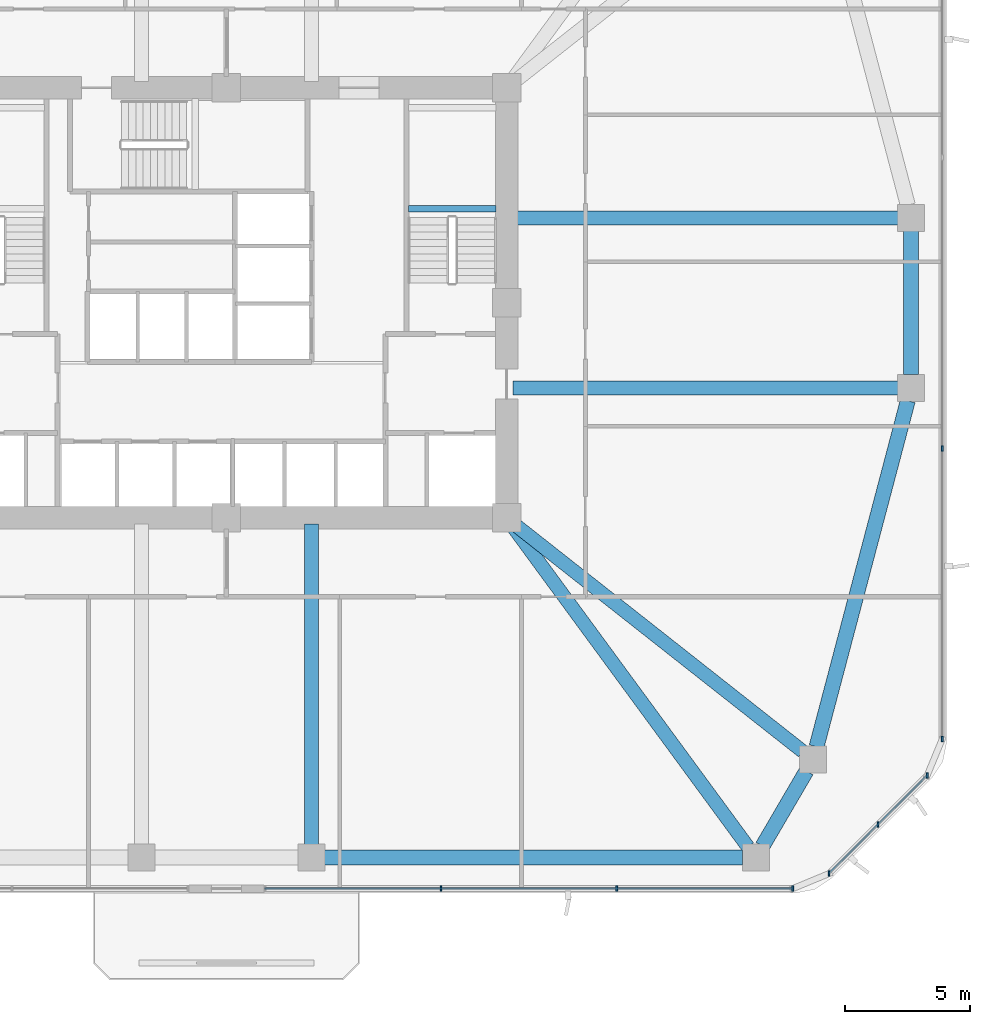
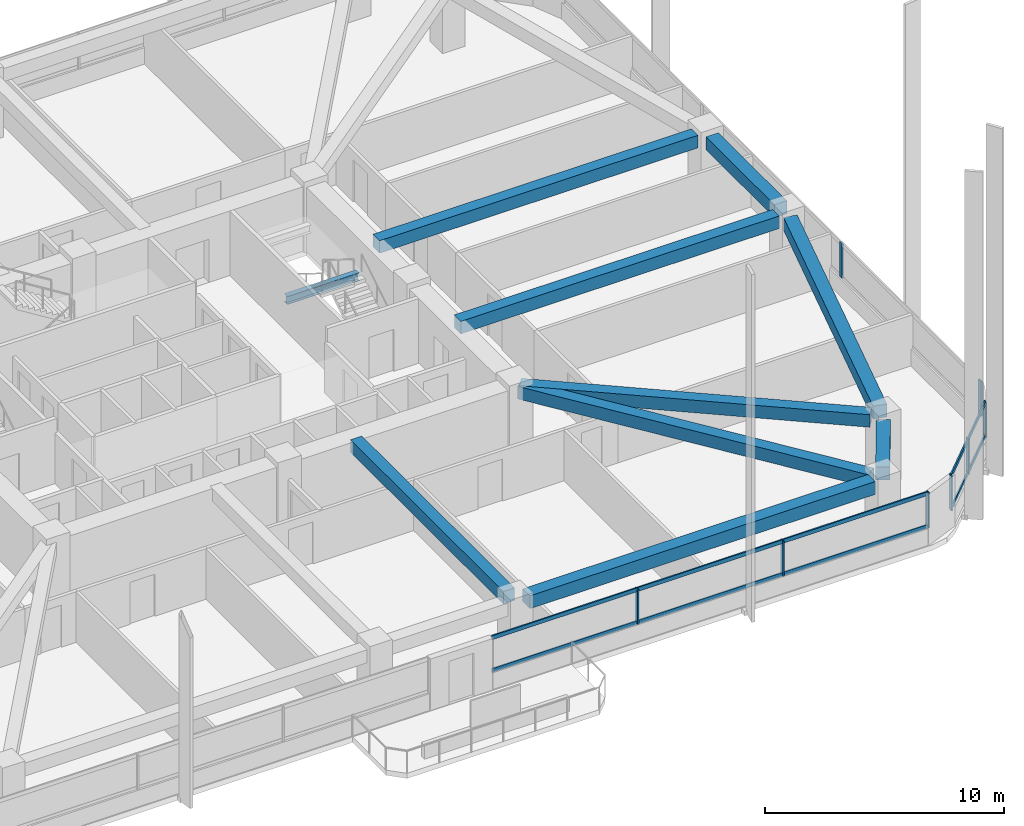
# One storey, part 4 of 17: 12 members, 10 beams, 3 elements without a shape of their own.
"""IFC4 building model written with IfcOpenShell, lengths in metres."""

from ifc_helpers import new_model, si_unit, derived_unit, direction, frame, origin, origin_2d, place, context, subcontext, project, spatial, rectangle, i_section, extrude, material, material_profile, profile_set, type_object, element, aggregate, save


model = new_model("IFC4")

# Units and contexts
model_context = context("Model", 3, precision=1e-05, world=origin(), true_north=direction((0.0, 1.0)))
body_context = subcontext(model_context, "Body", "Model", "MODEL_VIEW")
ifc_project = project(units=[si_unit("LENGTHUNIT", "METRE"), si_unit("AREAUNIT", "SQUARE_METRE"), si_unit("VOLUMEUNIT", "CUBIC_METRE"), si_unit("PLANEANGLEUNIT", "RADIAN"), si_unit("MASSUNIT", "GRAM", prefix="KILO"), derived_unit("THERMALTRANSMITTANCEUNIT", [(si_unit("POWERUNIT", "WATT"), 1), (si_unit("LENGTHUNIT", "METRE"), -2), (si_unit("THERMODYNAMICTEMPERATUREUNIT", "KELVIN"), -1)])], contexts=[model_context])

# Site, building, storey
site_placement = place(None, origin())
site = spatial("IfcSite", under=ifc_project, at=site_placement, CompositionType="ELEMENT")
building_placement = place(site_placement, origin())
building = spatial("IfcBuilding", under=site, at=building_placement, Name="Koralith Skygarden Medical Center", CompositionType="ELEMENT")
storey_placement = place(building_placement, frame((0.0, 0.0, 67.139892578125)))
storey = spatial("IfcBuildingStorey", under=building, at=storey_placement, Name="L17", CompositionType="ELEMENT", Elevation=67.139892578125)

# Curtain wall, members
ifc_material_1 = material(Name="Clear Laminated Glass", Category="glass")
curtain_wall_type = type_object("IfcCurtainWallType", Name="CW-2 Zone 1 Hurricane Unitised Curtain Wall", PredefinedType="NOTDEFINED", material=ifc_material_1)
curtain_wall_1_placement = place(storey_placement, origin())
curtain_wall_1 = element("IfcCurtainWall", 1, at=curtain_wall_1_placement, inside=storey, type_object=curtain_wall_type, Name="Curtain Wall CW-L17-S-R", PredefinedType="NOTDEFINED")
ifc_material_2 = material(Name="Aluminium 6063-T6", Category="aluminium")
ifc_material_profile_1 = material_profile(ifc_material_2, rectangle(XDim=0.071044921875, YDim=0.219970703125, at=origin_2d()), Name="MUL71X220")
ifc_profile_set_1 = profile_set([ifc_material_profile_1], Name="Aluminium 6063-T6")
member_type_1 = type_object("IfcMemberType", Name="CW-2 Extruded Mullion 71x220", PredefinedType="MULLION", material=ifc_profile_set_1)
member_1_placement = place(storey_placement, frame((45.574951171875, 2.47998046875, 0.85009765625), z_axis=(0.0, 0.0, 1.0), x_axis=(1.0, 0.0, 0.0)))
member_1 = element("IfcMember", 2, at=member_1_placement, type_object=member_type_1, Name="CW-L17-S-R Mullion 2", PredefinedType="MULLION", context=body_context, shape_type="SweptSolid", body=[
    extrude(rectangle(XDim=0.071044921875, YDim=0.219970703125, at=origin_2d()), origin(), (0.0, 0.0, 1.0), 1.780029296875),
])
member_2_placement = place(storey_placement, frame((52.610107421875, 2.47998046875, 0.85009765625), z_axis=(0.0, 0.0, 1.0), x_axis=(1.0, 0.0, 0.0)))
member_2 = element("IfcMember", 3, at=member_2_placement, type_object=member_type_1, Name="CW-L17-S-R Mullion 3", PredefinedType="MULLION", context=body_context, shape_type="SweptSolid", body=[
    extrude(rectangle(XDim=0.071044921875, YDim=0.219970703125, at=origin_2d()), origin(), (0.0, 0.0, 1.0), 1.780029296875),
])
member_3_placement = place(storey_placement, frame((59.64501953125, 2.47998046875, 0.85009765625), z_axis=(0.0, 0.0, 1.0), x_axis=(1.0, 0.0, 0.0)))
member_3 = element("IfcMember", 4, at=member_3_placement, type_object=member_type_1, Name="CW-L17-S-R Mullion 4", PredefinedType="MULLION", context=body_context, shape_type="SweptSolid", body=[
    extrude(rectangle(XDim=0.071044921875, YDim=0.219970703125, at=origin_2d()), origin(), (0.0, 0.0, 1.0), 1.780029296875),
])

curtain_wall_2_placement = place(storey_placement, origin())
curtain_wall_2 = element("IfcCurtainWall", 5, at=curtain_wall_2_placement, inside=storey, type_object=curtain_wall_type, Name="Curtain Wall CW-L17-SE", PredefinedType="NOTDEFINED")
member_4_placement = place(storey_placement, frame((61.095947265625, 3.0810546875, 0.85009765625), z_axis=(0.0, 0.0, 1.0), x_axis=(1.0, 0.0, 0.0)))
member_4 = element("IfcMember", 6, at=member_4_placement, type_object=member_type_1, Name="CW-L17-SE Mullion 1", PredefinedType="MULLION", context=body_context, shape_type="SweptSolid", body=[
    extrude(rectangle(XDim=0.071044921875, YDim=0.219970703125, at=origin_2d()), origin(), (0.0, 0.0, 1.0), 1.780029296875),
])
member_5_placement = place(storey_placement, frame((63.056884765625, 5.0419921875, 0.85009765625), z_axis=(0.0, 0.0, 1.0), x_axis=(1.0, 0.0, 0.0)))
member_5 = element("IfcMember", 7, at=member_5_placement, type_object=member_type_1, Name="CW-L17-SE Mullion 2", PredefinedType="MULLION", context=body_context, shape_type="SweptSolid", body=[
    extrude(rectangle(XDim=0.071044921875, YDim=0.219970703125, at=origin_2d()), origin(), (0.0, 0.0, 1.0), 1.780029296875),
])
member_6_placement = place(storey_placement, frame((65.01904296875, 7.00390625, 0.85009765625), z_axis=(0.0, 0.0, 1.0), x_axis=(1.0, 0.0, 0.0)))
member_6 = element("IfcMember", 8, at=member_6_placement, type_object=member_type_1, Name="CW-L17-SE Mullion 3", PredefinedType="MULLION", context=body_context, shape_type="SweptSolid", body=[
    extrude(rectangle(XDim=0.071044921875, YDim=0.219970703125, at=origin_2d()), origin(), (0.0, 0.0, 1.0), 1.780029296875),
])

curtain_wall_3_placement = place(storey_placement, origin())
curtain_wall_3 = element("IfcCurtainWall", 9, at=curtain_wall_3_placement, inside=storey, type_object=curtain_wall_type, Name="Curtain Wall CW-L17-E", PredefinedType="NOTDEFINED")
member_7_placement = place(storey_placement, frame((65.6201171875, 8.455078125, 0.85009765625), z_axis=(0.0, 0.0, 1.0), x_axis=(1.0, 0.0, 0.0)))
member_7 = element("IfcMember", 10, at=member_7_placement, type_object=member_type_1, Name="CW-L17-E Mullion 1", PredefinedType="MULLION", context=body_context, shape_type="SweptSolid", body=[
    extrude(rectangle(XDim=0.071044921875, YDim=0.219970703125, at=origin_2d()), origin(), (0.0, 0.0, 1.0), 1.780029296875),
])
member_8_placement = place(storey_placement, frame((65.6201171875, 20.0849609375, 0.85009765625), z_axis=(0.0, 0.0, 1.0), x_axis=(1.0, 0.0, 0.0)))
member_8 = element("IfcMember", 11, at=member_8_placement, type_object=member_type_1, Name="CW-L17-E Mullion 2", PredefinedType="MULLION", context=body_context, shape_type="SweptSolid", body=[
    extrude(rectangle(XDim=0.071044921875, YDim=0.219970703125, at=origin_2d()), origin(), (0.0, 0.0, 1.0), 1.780029296875),
])
aggregate(curtain_wall_3, [member_7, member_8])

# Member
ifc_material_profile_2 = material_profile(ifc_material_2, rectangle(XDim=0.06591796875, YDim=0.197998046875, at=origin_2d()), Name="TRN66X198")
ifc_profile_set_2 = profile_set([ifc_material_profile_2], Name="Aluminium 6063-T6")
member_type_2 = type_object("IfcMemberType", Name="CW-2 Thermal Transom 66x198", PredefinedType="USERDEFINED", material=ifc_profile_set_2)
member_9_placement = place(storey_placement, frame((38.5400390625, 2.47998046875, 0.900146484375), z_axis=(1.0, 0.0, 0.0), x_axis=(0.0, 1.0, 0.0)))
member_9 = element("IfcMember", 12, at=member_9_placement, type_object=member_type_2, Name="CW-L17-S-R Transom 1", ObjectType="TRANSOM", PredefinedType="USERDEFINED", context=body_context, shape_type="SweptSolid", body=[
    extrude(rectangle(XDim=0.06591796875, YDim=0.197998046875, at=origin_2d()), origin(), (0.0, 0.0, 1.0), 21.10498046875),
])

member_10_placement = place(storey_placement, frame((38.5400390625, 2.47998046875, 2.580078125), z_axis=(1.0, 0.0, 0.0), x_axis=(0.0, 1.0, 0.0)))
member_10 = element("IfcMember", 13, at=member_10_placement, type_object=member_type_2, Name="CW-L17-S-R Transom 2", ObjectType="TRANSOM", PredefinedType="USERDEFINED", context=body_context, shape_type="SweptSolid", body=[
    extrude(rectangle(XDim=0.06591796875, YDim=0.197998046875, at=origin_2d()), origin(), (0.0, 0.0, 1.0), 21.10498046875),
])

aggregate(curtain_wall_1, [member_1, member_2, member_3, member_9, member_10])

member_11_placement = place(storey_placement, frame((61.095947265625, 3.0810546875, 0.900146484375), z_axis=(0.707128783731, 0.707084777957, 0.0), x_axis=(-0.707084777957, 0.707128783731, 0.0)))
member_11 = element("IfcMember", 14, at=member_11_placement, type_object=member_type_2, Name="CW-L17-SE Transom 1", ObjectType="TRANSOM", PredefinedType="USERDEFINED", context=body_context, shape_type="SweptSolid", body=[
    extrude(rectangle(XDim=0.06591796875, YDim=0.197998046875, at=origin_2d()), origin(), (0.0, 0.0, 1.0), 5.5478515625),
])

member_12_placement = place(storey_placement, frame((61.095947265625, 3.0810546875, 2.580078125), z_axis=(0.707128783731, 0.707084777957, 0.0), x_axis=(-0.707084777957, 0.707128783731, 0.0)))
member_12 = element("IfcMember", 15, at=member_12_placement, type_object=member_type_2, Name="CW-L17-SE Transom 2", ObjectType="TRANSOM", PredefinedType="USERDEFINED", context=body_context, shape_type="SweptSolid", body=[
    extrude(rectangle(XDim=0.06591796875, YDim=0.197998046875, at=origin_2d()), origin(), (0.0, 0.0, 1.0), 5.5478515625),
])

aggregate(curtain_wall_2, [member_4, member_5, member_6, member_11, member_12])

# Beams
ifc_material_3 = material(Name="Steel ASTM A992 Grade 50", Category="steel")
ifc_material_profile_3 = material_profile(ifc_material_3, i_section(OverallWidth=0.260009765625, OverallDepth=0.4150390625, WebThickness=0.010009765625, FlangeThickness=0.016845703125, at=origin_2d()), Name="W16X67")
ifc_profile_set_3 = profile_set([ifc_material_profile_3], Name="Steel ASTM A992 Grade 50")
beam_type_1 = type_object("IfcBeamType", Name="Clinical Floor Joist W16X67", PredefinedType="JOIST", material=ifc_profile_set_3)
beam_1_placement = place(storey_placement, frame((44.280029296875, 29.659912109375, 1.39208984375), z_axis=(1.0, 0.0, 0.0), x_axis=(0.0, 1.0, 0.0)))
element("IfcBeam", 16, at=beam_1_placement, inside=storey, type_object=beam_type_1, Name="L17 Stair ST2 Half-Landing Support Beam 1A", PredefinedType="JOIST", context=body_context, shape_type="SweptSolid", body=[
    extrude(i_section(OverallWidth=0.260009765625, OverallDepth=0.4150390625, WebThickness=0.010009765625, FlangeThickness=0.016845703125, at=origin_2d()), origin(), (0.0, 0.0, 1.0), 3.489990234375),
])
ifc_material_4 = material(Name="Concrete C45/55", Category="concrete")
ifc_material_profile_4 = material_profile(ifc_material_4, rectangle(XDim=0.550048828125, YDim=0.639892578125, at=origin_2d()), Name="RCB550X640")
ifc_profile_set_4 = profile_set([ifc_material_profile_4], Name="Concrete C45/55")
beam_type_2 = type_object("IfcBeamType", Name="Radial Collector Beam RCB550X640", PredefinedType="BEAM", material=ifc_profile_set_4)
beam_2_placement = place(storey_placement, frame((40.39990234375, 17.050048828125, 2.980224609375), z_axis=(0.0, -1.0, 0.0), x_axis=(1.0, 0.0, 0.0)))
element("IfcBeam", 17, at=beam_2_placement, inside=storey, type_object=beam_type_2, Name="L17 Radial Collector Beam RB-05", PredefinedType="BEAM", context=body_context, shape_type="SweptSolid", body=[
    extrude(rectangle(XDim=0.550048828125, YDim=0.639892578125, at=origin_2d()), origin(), (0.0, 0.0, 1.0), 12.800048828125),
])
beam_3_placement = place(storey_placement, frame((48.347900390625, 17.097900390625, 2.980224609375), z_axis=(0.591718052249, -0.806144991079, 0.0), x_axis=(0.806144991079, 0.591718052249, 0.0)))
element("IfcBeam", 18, at=beam_3_placement, inside=storey, type_object=beam_type_2, Name="L17 Radial Collector Beam RB-06", PredefinedType="BEAM", context=body_context, shape_type="SweptSolid", body=[
    extrude(rectangle(XDim=0.550048828125, YDim=0.639892578125, at=origin_2d()), origin(), (0.0, 0.0, 1.0), 16.065185546875),
])
beam_4_placement = place(storey_placement, frame((48.39599609375, 17.14501953125, 2.980224609375), z_axis=(0.785497250365, -0.618865146594, 0.0), x_axis=(0.618865146594, 0.785497250365, 0.0)))
element("IfcBeam", 19, at=beam_4_placement, inside=storey, type_object=beam_type_2, Name="L17 Radial Collector Beam RB-07", PredefinedType="BEAM", context=body_context, shape_type="SweptSolid", body=[
    extrude(rectangle(XDim=0.550048828125, YDim=0.639892578125, at=origin_2d()), origin(), (0.0, 0.0, 1.0), 14.828857421875),
])
for number, where, z_axis, x_axis, name in (
    (20, (48.449951171875, 22.5, 2.980224609375), (1.0, 0.0, 0.0), (0.0, 1.0, 0.0), "L17 Radial Collector Beam RB-08"),
    (21, (48.449951171875, 29.300048828125, 2.980224609375), (1.0, 0.0, 0.0), (0.0, 1.0, 0.0), "L17 Radial Collector Beam RB-09"),
):
    element("IfcBeam", number, at=place(storey_placement, frame(where, z_axis=z_axis, x_axis=x_axis)), inside=storey, type_object=beam_type_2, Name=name, PredefinedType="BEAM", context=body_context, shape_type="SweptSolid", body=[
        extrude(rectangle(XDim=0.550048828125, YDim=0.639892578125, at=origin_2d()), origin(), (0.0, 0.0, 1.0), 15.400146484375),
    ])
ifc_material_profile_5 = material_profile(ifc_material_4, rectangle(XDim=0.60009765625, YDim=0.659912109375, at=origin_2d()), Name="RCB600X660")
ifc_profile_set_5 = profile_set([ifc_material_profile_5], Name="Concrete C45/55")
beam_type_3 = type_object("IfcBeamType", Name="Zone 1 Spandrel Beam RCB600X660", PredefinedType="SPANDREL", material=ifc_profile_set_5)
beam_5_placement = place(storey_placement, frame((40.929931640625, 3.719970703125, 2.97021484375), z_axis=(1.0, 0.0, 0.0), x_axis=(0.0, 1.0, 0.0)))
element("IfcBeam", 22, at=beam_5_placement, inside=storey, type_object=beam_type_3, Name="L17 Perimeter Spandrel Beam SP-05", PredefinedType="SPANDREL", context=body_context, shape_type="SweptSolid", body=[
    extrude(rectangle(XDim=0.60009765625, YDim=0.659912109375, at=origin_2d()), origin(), (0.0, 0.0, 1.0), 16.7080078125),
])
beam_6_placement = place(storey_placement, frame((58.43603515625, 4.177978515625, 2.97021484375), z_axis=(0.504638660636, 0.863330656349, 0.0), x_axis=(-0.863330656349, 0.504638660636, 0.0)))
element("IfcBeam", 23, at=beam_6_placement, inside=storey, type_object=beam_type_3, Name="L17 Perimeter Spandrel Beam SP-06", PredefinedType="SPANDREL", context=body_context, shape_type="SweptSolid", body=[
    extrude(rectangle(XDim=0.60009765625, YDim=0.659912109375, at=origin_2d()), origin(), (0.0, 0.0, 1.0), 3.4794921875),
])
beam_7_placement = place(storey_placement, frame((60.594970703125, 8.152099609375, 2.97021484375), z_axis=(0.255088684842, 0.966917660851, 0.0), x_axis=(-0.966917660851, 0.255088684842, 0.0)))
element("IfcBeam", 24, at=beam_7_placement, inside=storey, type_object=beam_type_3, Name="L17 Perimeter Spandrel Beam SP-07", PredefinedType="SPANDREL", context=body_context, shape_type="SweptSolid", body=[
    extrude(rectangle(XDim=0.60009765625, YDim=0.659912109375, at=origin_2d()), origin(), (0.0, 0.0, 1.0), 14.309326171875),
])
beam_8_placement = place(storey_placement, frame((64.3798828125, 23.030029296875, 2.97021484375), z_axis=(0.0, 1.0, 0.0), x_axis=(-1.0, 0.0, 0.0)))
element("IfcBeam", 25, at=beam_8_placement, inside=storey, type_object=beam_type_3, Name="L17 Perimeter Spandrel Beam SP-08", PredefinedType="SPANDREL", context=body_context, shape_type="SweptSolid", body=[
    extrude(rectangle(XDim=0.60009765625, YDim=0.659912109375, at=origin_2d()), origin(), (0.0, 0.0, 1.0), 5.739990234375),
])

save(model, "model.ifc")
